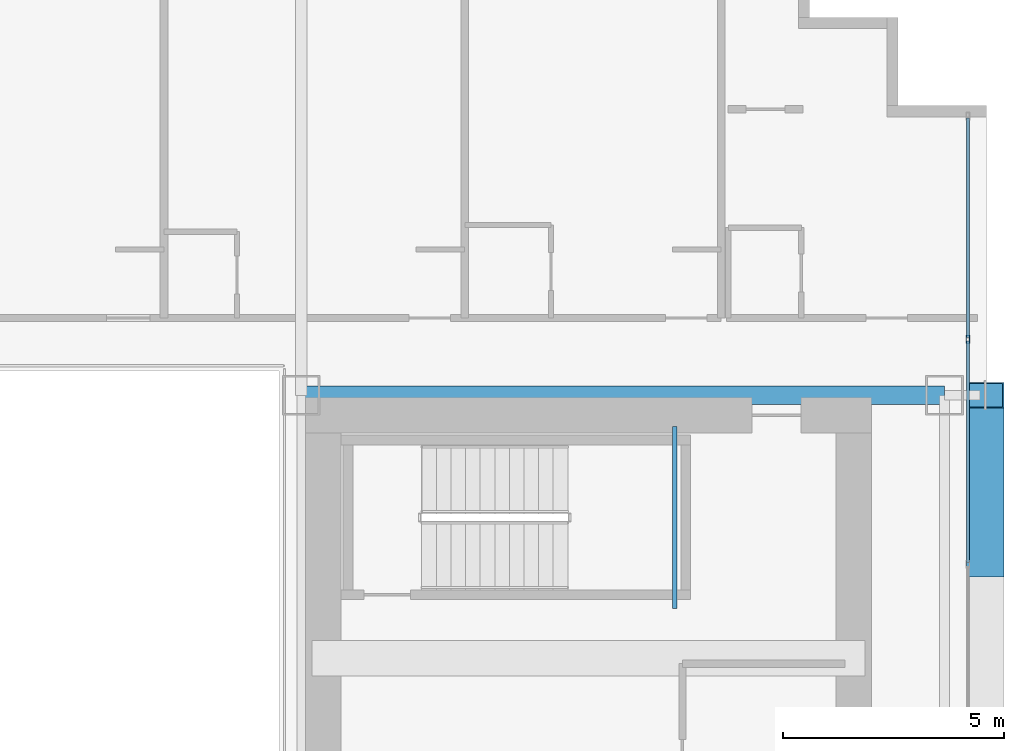
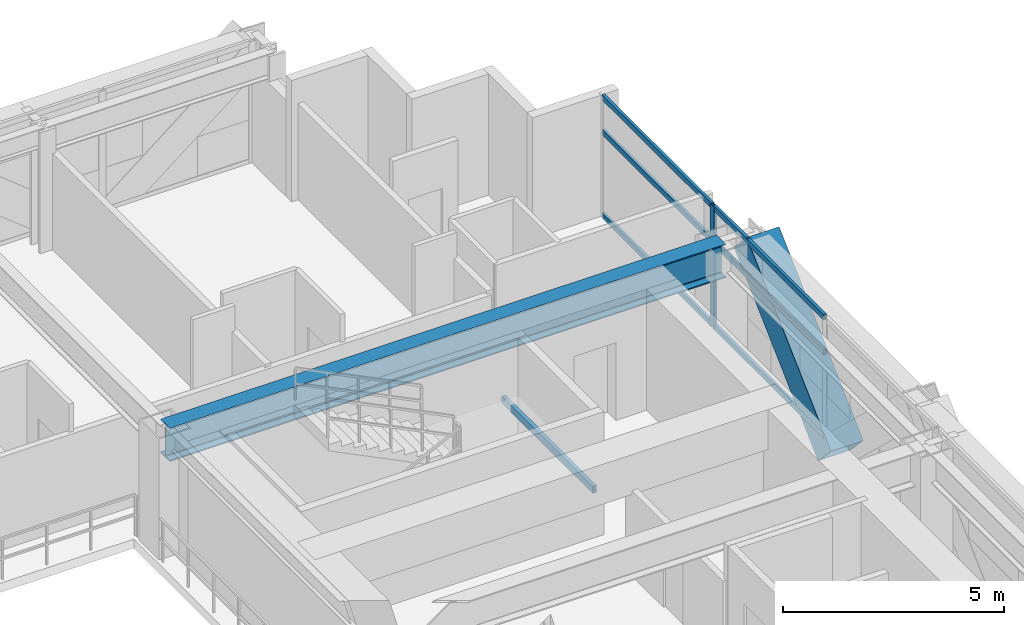
# One storey, part 20 of 38: 8 members, 2 beams, 1 element without a shape of its own.
"""IFC4 building model written with IfcOpenShell, lengths in metres."""

from ifc_helpers import new_model, si_unit, direction, frame, origin, origin_2d, place, context, subcontext, project, spatial, hollow_rectangle, i_section, extrude, source, transform, mapped, material, layer, layer_set, material_profile, profile_set, type_object, element, aggregate, save


model = new_model("IFC4")

# Units and contexts
model_context = context("Model", 3, precision=1e-05, world=origin(), true_north=direction((0.0, 1.0)))
body_context = subcontext(model_context, "Body", "Model", "MODEL_VIEW")
ifc_project = project(units=[si_unit("LENGTHUNIT", "METRE"), si_unit("AREAUNIT", "SQUARE_METRE"), si_unit("VOLUMEUNIT", "CUBIC_METRE"), si_unit("PLANEANGLEUNIT", "RADIAN"), si_unit("MASSUNIT", "GRAM", prefix="KILO")], contexts=[model_context])

# Site, building, storey
site_placement = place(None, origin())
site = spatial("IfcSite", under=ifc_project, at=site_placement, CompositionType="ELEMENT")
building_placement = place(site_placement, origin())
building = spatial("IfcBuilding", under=site, at=building_placement, Name="Ocotamira Hotel", CompositionType="ELEMENT")
storey_placement = place(building_placement, frame((0.0, 0.0, 60.0)))
storey = spatial("IfcBuildingStorey", under=building, at=storey_placement, Name="L14", CompositionType="ELEMENT", Elevation=60.0)

# Beams
ifc_material_1 = material(Name="Steel ASTM A500 Grade C", Category="steel")
ifc_material_profile_1 = material_profile(ifc_material_1, hollow_rectangle(XDim=0.10009765625, YDim=0.199951171875, WallThickness=0.008056640625, at=origin_2d()), Name="HSS200X100X8")
ifc_profile_set_1 = profile_set([ifc_material_profile_1], Name="Steel ASTM A500 Grade C")
beam_type_1 = type_object("IfcBeamType", Name="BM-STLDG-HSS200", PredefinedType="BEAM", material=ifc_profile_set_1)
shared_shape_1 = source(origin(), body_context, "Body", "SweptSolid", [
    extrude(hollow_rectangle(XDim=0.10009765625, YDim=0.199951171875, WallThickness=0.008056640625, at=origin_2d()), origin(), (0.0, 0.0, 1.0), 4.1201171875),
])
beam_1_placement = place(storey_placement, frame((48.949951171875, 32.6298828125, 1.5), z_axis=(0.0, 1.0, 0.0), x_axis=(-1.0, 0.0, 0.0)))
element("IfcBeam", 1, at=beam_1_placement, inside=storey, type_object=beam_type_1, Name="L14 Stair ST-4 Landing Bearer 1", PredefinedType="BEAM", context=body_context, shape_type="MappedRepresentation", body=[
    mapped(shared_shape_1, transform((0.0, 0.0, 0.0), scale=1.0)),
])
ifc_material_2 = material(Name="Steel ASTM A992 Grade 50", Category="steel")
ifc_material_profile_2 = material_profile(ifc_material_2, i_section(OverallWidth=0.41796875, OverallDepth=0.927001953125, WebThickness=0.019287109375, FlangeThickness=0.031982421875, FilletRadius=0.02392578125, at=origin_2d()), Name="W36X231")
ifc_profile_set_2 = profile_set([ifc_material_profile_2], Name="Steel ASTM A992 Grade 50")
beam_type_2 = type_object("IfcBeamType", Name="BM-GIRD-W36X231", PredefinedType="BEAM", material=ifc_profile_set_2)
shared_shape_2 = source(origin(), body_context, "Body", "SweptSolid", [
    extrude(i_section(OverallWidth=0.41796875, OverallDepth=0.927001953125, WebThickness=0.019287109375, FlangeThickness=0.031982421875, FilletRadius=0.02392578125, at=origin_2d()), origin(), (0.0, 0.0, 1.0), 14.550048828125),
])
beam_2_placement = place(storey_placement, frame((40.5, 37.449951171875, 2.886474609375), z_axis=(1.0, 0.0, 0.0), x_axis=(0.0, 1.0, 0.0)))
element("IfcBeam", 2, at=beam_2_placement, inside=storey, type_object=beam_type_2, Name="L14 Girder Y37.45 X40.5-55.05", PredefinedType="BEAM", context=body_context, shape_type="MappedRepresentation", body=[
    mapped(shared_shape_2, transform((0.0, 0.0, 0.0), scale=1.0)),
])

# Member
ifc_material_3 = material(Name="Pale-metal coated steel ASTM A913 Grade 65", Category="steel")
ifc_material_profile_3 = material_profile(ifc_material_3, hollow_rectangle(XDim=0.85009765625, YDim=0.85009765625, WallThickness=0.035888671875, at=origin_2d()), Name="BOX850X850X36")
ifc_profile_set_3 = profile_set([ifc_material_profile_3], Name="Pale-metal coated steel ASTM A913 Grade 65")
member_type_1 = type_object("IfcMemberType", Name="MEM-EXO-BOX850", PredefinedType="BRACE", material=ifc_profile_set_3)
shared_shape_3 = source(origin(), body_context, "Body", "SweptSolid", [
    extrude(hollow_rectangle(XDim=0.85009765625, YDim=0.85009765625, WallThickness=0.035888671875, at=origin_2d()), origin(), (0.0, 0.0, 1.0), 5.24658203125),
])
member_1_placement = place(storey_placement, frame((55.969970703125, 33.63330078125, -0.5), z_axis=(0.0, 0.727442733726, 0.686168397078), x_axis=(-1.0, 0.0, 0.0)))
element("IfcMember", 3, at=member_1_placement, inside=storey, type_object=member_type_1, Name="L14 Exoskeleton Diagrid E2.2", PredefinedType="BRACE", context=body_context, shape_type="MappedRepresentation", body=[
    mapped(shared_shape_3, transform((0.0, 0.0, 0.0), scale=1.0)),
])

# Curtain wall, members
ifc_material_4 = material(Name="Anodised pale-metal aluminium and solar glass", Category="aluminium")
ifc_layer = layer(ifc_material_4, 0.179931640625)
ifc_layer_set = layer_set([ifc_layer], Name="Anodised pale-metal aluminium and solar glass")
curtain_wall_type = type_object("IfcCurtainWallType", Name="CW-SYS2-Z1", PredefinedType="NOTDEFINED", material=ifc_layer_set)
curtain_wall_placement = place(storey_placement, origin())
curtain_wall = element("IfcCurtainWall", 4, at=curtain_wall_placement, inside=storey, type_object=curtain_wall_type, Name="L14 Curtain Wall CW-2 CW-L14-E", PredefinedType="NOTDEFINED")
ifc_material_5 = material(Name="Anodised pale-metal aluminium 6063-T6", Category="aluminium")
ifc_material_profile_4 = material_profile(ifc_material_5, hollow_rectangle(XDim=0.074951171875, YDim=0.14990234375, WallThickness=0.006103515625, at=origin_2d()), Name="HSS150X75X6")
ifc_profile_set_4 = profile_set([ifc_material_profile_4], Name="Anodised pale-metal aluminium 6063-T6")
member_type_2 = type_object("IfcMemberType", Name="CWT-150X75", PredefinedType="USERDEFINED", material=ifc_profile_set_4)
shared_shape_4 = source(origin(), body_context, "Body", "SweptSolid", [
    extrude(hollow_rectangle(XDim=0.074951171875, YDim=0.14990234375, WallThickness=0.006103515625, at=origin_2d()), origin(), (0.0, 0.0, 1.0), 4.965576171875),
])
member_2_placement = place(storey_placement, frame((55.580078125, 38.75439453125, 0.03759765625), z_axis=(0.0, 1.0, 0.0), x_axis=(-1.0, 0.0, 0.0)))
member_2 = element("IfcMember", 5, at=member_2_placement, type_object=member_type_2, Name="CW-2 transom 7.1", ObjectType="TRANSOM", PredefinedType="USERDEFINED", context=body_context, shape_type="MappedRepresentation", body=[
    mapped(shared_shape_4, transform((0.0, 0.0, 0.0), scale=1.0)),
])
member_3_placement = place(storey_placement, frame((55.580078125, 38.75439453125, 2.35009765625), z_axis=(0.0, 1.0, 0.0), x_axis=(-1.0, 0.0, 0.0)))
member_3 = element("IfcMember", 6, at=member_3_placement, type_object=member_type_2, Name="CW-2 transom 7.2", ObjectType="TRANSOM", PredefinedType="USERDEFINED", context=body_context, shape_type="MappedRepresentation", body=[
    mapped(shared_shape_4, transform((0.0, 0.0, 0.0), scale=1.0)),
])
member_4_placement = place(storey_placement, frame((55.580078125, 38.75439453125, 3.3125), z_axis=(0.0, 1.0, 0.0), x_axis=(-1.0, 0.0, 0.0)))
member_4 = element("IfcMember", 7, at=member_4_placement, type_object=member_type_2, Name="CW-2 transom 7.3", ObjectType="TRANSOM", PredefinedType="USERDEFINED", context=body_context, shape_type="MappedRepresentation", body=[
    mapped(shared_shape_4, transform((0.0, 0.0, 0.0), scale=1.0)),
])
shared_shape_5 = source(origin(), body_context, "Body", "SweptSolid", [
    extrude(hollow_rectangle(XDim=0.074951171875, YDim=0.14990234375, WallThickness=0.006103515625, at=origin_2d()), origin(), (0.0, 0.0, 1.0), 5.005859375),
])
member_5_placement = place(storey_placement, frame((55.580078125, 33.66845703125, 0.03759765625), z_axis=(0.0, 1.0, 0.0), x_axis=(-1.0, 0.0, 0.0)))
member_5 = element("IfcMember", 8, at=member_5_placement, type_object=member_type_2, Name="CW-2 transom 6.1", ObjectType="TRANSOM", PredefinedType="USERDEFINED", context=body_context, shape_type="MappedRepresentation", body=[
    mapped(shared_shape_5, transform((0.0, 0.0, 0.0), scale=1.0)),
])
member_6_placement = place(storey_placement, frame((55.580078125, 33.66845703125, 2.35009765625), z_axis=(0.0, 1.0, 0.0), x_axis=(-1.0, 0.0, 0.0)))
member_6 = element("IfcMember", 9, at=member_6_placement, type_object=member_type_2, Name="CW-2 transom 6.2", ObjectType="TRANSOM", PredefinedType="USERDEFINED", context=body_context, shape_type="MappedRepresentation", body=[
    mapped(shared_shape_5, transform((0.0, 0.0, 0.0), scale=1.0)),
])
member_7_placement = place(storey_placement, frame((55.580078125, 33.66845703125, 3.3125), z_axis=(0.0, 1.0, 0.0), x_axis=(-1.0, 0.0, 0.0)))
member_7 = element("IfcMember", 10, at=member_7_placement, type_object=member_type_2, Name="CW-2 transom 6.3", ObjectType="TRANSOM", PredefinedType="USERDEFINED", context=body_context, shape_type="MappedRepresentation", body=[
    mapped(shared_shape_5, transform((0.0, 0.0, 0.0), scale=1.0)),
])
ifc_material_profile_5 = material_profile(ifc_material_5, hollow_rectangle(XDim=0.080078125, YDim=0.179931640625, WallThickness=0.006103515625, at=origin_2d()), Name="HSS180X80X6")
ifc_profile_set_5 = profile_set([ifc_material_profile_5], Name="Anodised pale-metal aluminium 6063-T6")
member_type_3 = type_object("IfcMemberType", Name="CWM-180X75", PredefinedType="MULLION", material=ifc_profile_set_5)
shared_shape_6 = source(origin(), body_context, "Body", "SweptSolid", [
    extrude(hollow_rectangle(XDim=0.080078125, YDim=0.179931640625, WallThickness=0.006103515625, at=origin_2d()), origin(), (0.0, 0.0, 1.0), 3.35009765625),
])
member_8_placement = place(storey_placement, frame((55.580078125, 38.71435546875, 0.0), z_axis=(0.0, 0.0, 1.0), x_axis=(-1.0, 0.0, 0.0)))
member_8 = element("IfcMember", 11, at=member_8_placement, type_object=member_type_3, Name="CW-2 mullion 7", PredefinedType="MULLION", context=body_context, shape_type="MappedRepresentation", body=[
    mapped(shared_shape_6, transform((0.0, 0.0, 0.0), scale=1.0)),
])
aggregate(curtain_wall, [member_8, member_5, member_6, member_7, member_2, member_3, member_4])

save(model, "model.ifc")
